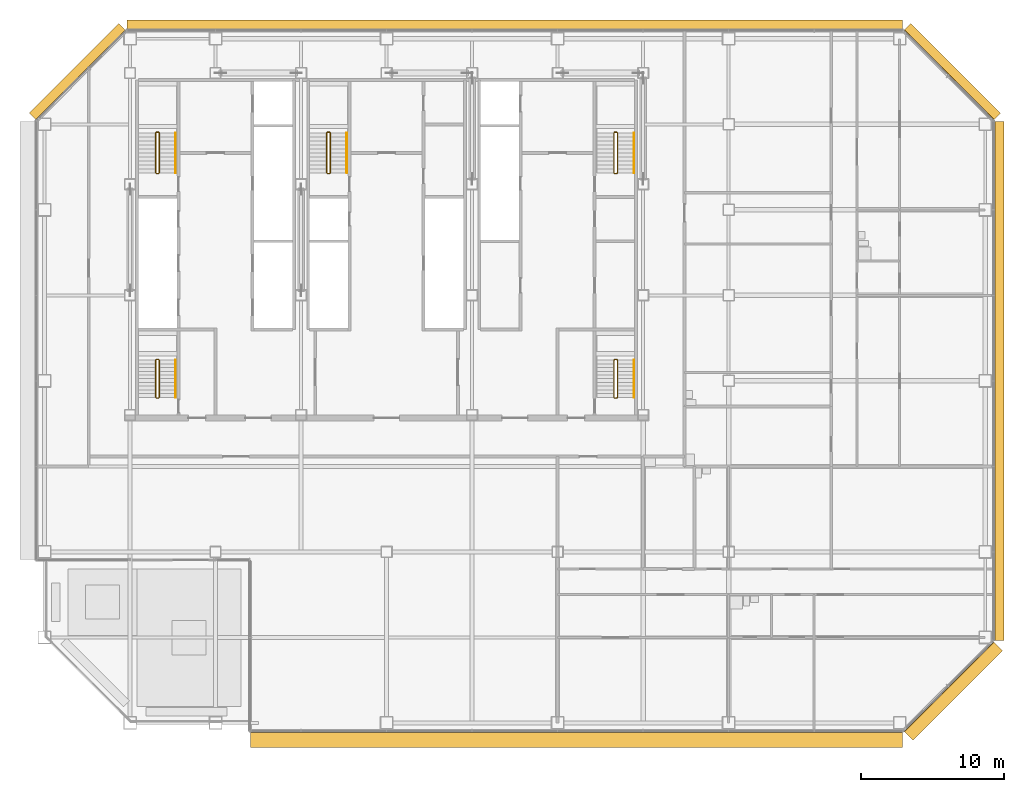
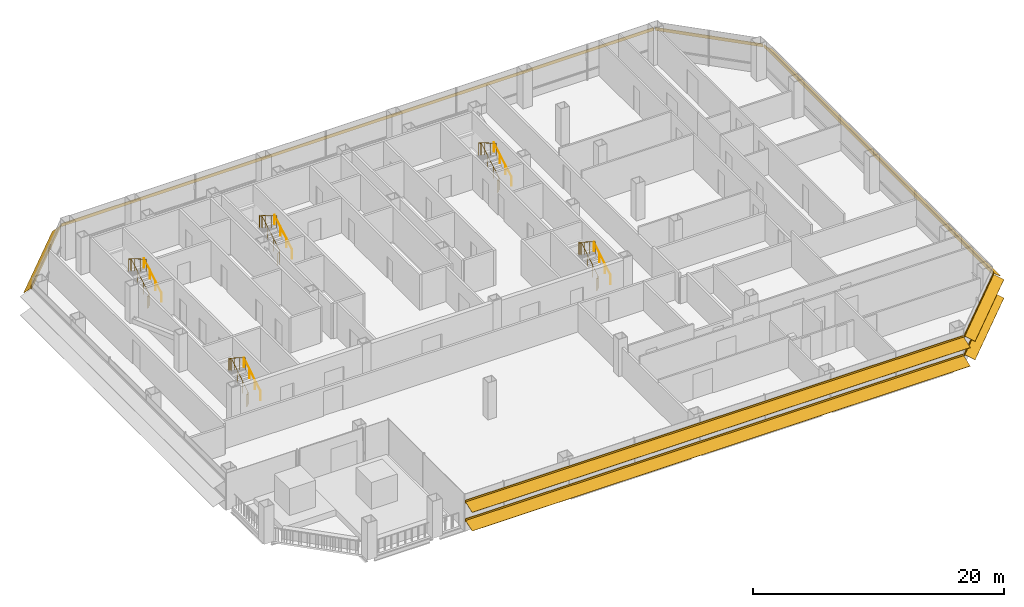
# One storey, part 26 of 28: 10 railings, 6 shading devices.
"""IFC4 building model written with IfcOpenShell, lengths in metres."""

from ifc_helpers import new_model, si_unit, direction, frame, origin, origin_2d, place, context, subcontext, project, spatial, polyline, circle, outline, composite_profile, extrude, material, type_object, element, save


model = new_model("IFC4")

# Units and contexts
model_context = context("Model", 3, precision=1e-05, world=origin(), true_north=direction((0.0, 1.0)))
body_context = subcontext(model_context, "Body", "Model", "MODEL_VIEW")
ifc_project = project(units=[si_unit("LENGTHUNIT", "METRE"), si_unit("AREAUNIT", "SQUARE_METRE"), si_unit("VOLUMEUNIT", "CUBIC_METRE"), si_unit("PLANEANGLEUNIT", "RADIAN"), si_unit("MASSUNIT", "GRAM", prefix="KILO")], contexts=[model_context])

# Site, building, storey
site_placement = place(None, origin())
site = spatial("IfcSite", under=ifc_project, at=site_placement, CompositionType="ELEMENT")
building_placement = place(site_placement, origin())
building = spatial("IfcBuilding", under=site, at=building_placement, Name="Sorahane Residences", CompositionType="ELEMENT")
storey_placement = place(building_placement, frame((0.0, 0.0, 60.60009765625)))
storey = spatial("IfcBuildingStorey", under=building, at=storey_placement, Name="L11", CompositionType="ELEMENT", Elevation=60.60009765625)

# Shading devices
ifc_material_1 = material(Name="Terracotta anodised aluminium", Category="masonry")
shading_device_type_1 = type_object("IfcShadingDeviceType", Name="Louvre sunshade blade E terracotta aluminium 700", PredefinedType="JALOUSIE", material=ifc_material_1)
shading_device_1_placement = place(storey_placement, frame((66.60009765625, 5.801513671875, 2.699951171875), z_axis=(0.0, 1.0, 0.0), x_axis=(-1.0, 0.0, 0.0)))
element("IfcShadingDevice", 1, at=shading_device_1_placement, inside=storey, type_object=shading_device_type_1, Name="Louvre sunshade blade bank E L11 E1", PredefinedType="JALOUSIE", context=body_context, shape_type="SweptSolid", body=[
    extrude(outline(polyline([(-0.719970703125, -0.49365234375), (-0.719970703125, -0.523681640625), (-0.080078125, -0.05859375), (-0.080078125, -0.14990234375), (-0.02001953125, -0.14990234375), (-0.02001953125, -0.014892578125), (-0.02001953125, 0.014892578125), (-0.02001953125, 0.14990234375), (-0.080078125, 0.14990234375), (-0.080078125, -0.028564453125), (-0.719970703125, -0.49365234375)])), origin(), (0.0, 0.0, 1.0), 36.39697265625),
])
ifc_material_2 = material(Name="Terracotta anodised aluminium", Category="masonry")
shading_device_type_2 = type_object("IfcShadingDeviceType", Name="Louvre sunshade blade N terracotta aluminium 700", PredefinedType="JALOUSIE", material=ifc_material_2)
shading_device_2_placement = place(storey_placement, frame((60.198486328125, 48.60009765625, 2.699951171875), z_axis=(-1.0, 0.0, 0.0), x_axis=(0.0, -1.0, 0.0)))
element("IfcShadingDevice", 2, at=shading_device_2_placement, inside=storey, type_object=shading_device_type_2, Name="Louvre sunshade blade bank N L11 N1", PredefinedType="JALOUSIE", context=body_context, shape_type="SweptSolid", body=[
    extrude(outline(polyline([(-0.719970703125, -0.660888671875), (-0.719970703125, -0.69091796875), (-0.080078125, -0.072998046875), (-0.080078125, -0.14990234375), (-0.02001953125, -0.14990234375), (-0.02001953125, -0.014892578125), (-0.02001953125, 0.014892578125), (-0.02001953125, 0.14990234375), (-0.080078125, 0.14990234375), (-0.080078125, -0.04296875), (-0.719970703125, -0.660888671875)])), origin(), (0.0, 0.0, 1.0), 54.39697265625),
])
ifc_material_3 = material(Name="Terracotta anodised aluminium", Category="masonry")
shading_device_type_3 = type_object("IfcShadingDeviceType", Name="Louvre sunshade blade NE terracotta aluminium 700", PredefinedType="JALOUSIE", material=ifc_material_3)
shading_device_3_placement = place(storey_placement, frame((66.564697265625, 42.283935546875, 2.699951171875), z_axis=(-0.707106781187, 0.707106781187, 0.0), x_axis=(-0.707106781187, -0.707106781187, 0.0)))
element("IfcShadingDevice", 3, at=shading_device_3_placement, inside=storey, type_object=shading_device_type_3, Name="Louvre sunshade blade bank NE L11 NE1", PredefinedType="JALOUSIE", context=body_context, shape_type="SweptSolid", body=[
    extrude(outline(polyline([(-0.719970703125, -0.572509765625), (-0.719970703125, -0.602294921875), (-0.080078125, -0.065185546875), (-0.080078125, -0.14990234375), (-0.02001953125, -0.14990234375), (-0.02001953125, -0.014892578125), (-0.02001953125, 0.014892578125), (-0.02001953125, 0.14990234375), (-0.080078125, 0.14990234375), (-0.080078125, -0.035400390625), (-0.719970703125, -0.572509765625)])), origin(), (0.0, 0.0, 1.0), 8.88232421875),
])
ifc_material_4 = material(Name="Terracotta anodised aluminium", Category="masonry")
shading_device_type_4 = type_object("IfcShadingDeviceType", Name="Louvre sunshade blade NW terracotta aluminium 700", PredefinedType="JALOUSIE", material=ifc_material_4)
shading_device_4_placement = place(storey_placement, frame((5.716064453125, 48.564697265625, 2.699951171875), z_axis=(-0.707106781187, -0.707106781187, 0.0), x_axis=(0.707106781187, -0.707106781187, 0.0)))
element("IfcShadingDevice", 4, at=shading_device_4_placement, inside=storey, type_object=shading_device_type_4, Name="Louvre sunshade blade bank NW L11 NW1", PredefinedType="JALOUSIE", context=body_context, shape_type="SweptSolid", body=[
    extrude(outline(polyline([(-0.719970703125, -0.660888671875), (-0.719970703125, -0.69091796875), (-0.080078125, -0.072998046875), (-0.080078125, -0.14990234375), (-0.02001953125, -0.14990234375), (-0.02001953125, -0.014892578125), (-0.02001953125, 0.014892578125), (-0.02001953125, 0.14990234375), (-0.080078125, 0.14990234375), (-0.080078125, -0.04296875), (-0.719970703125, -0.660888671875)])), origin(), (0.0, 0.0, 1.0), 8.88232421875),
])
ifc_material_5 = material(Name="Terracotta anodised aluminium", Category="masonry")
shading_device_type_5 = type_object("IfcShadingDeviceType", Name="Louvre sunshade blade S terracotta aluminium 1100", PredefinedType="JALOUSIE", material=ifc_material_5)
shading_device_5_placement = place(storey_placement, frame((14.449951171875, -0.60009765625, 0.89990234375), z_axis=(1.0, 0.0, 0.0), x_axis=(0.0, 1.0, 0.0)))
element("IfcShadingDevice", 5, at=shading_device_5_placement, inside=storey, type_object=shading_device_type_5, Name="Louvre sunshade blade bank S L11 S2", PredefinedType="JALOUSIE", context=body_context, shape_type="SweptSolid", body=[
    extrude(composite_profile([outline(polyline([(-1.1201171875, -0.385498046875), (-1.1201171875, -0.415283203125), (-0.080078125, -0.036865234375), (-0.080078125, -0.14990234375), (-0.02001953125, -0.14990234375), (-0.02001953125, -0.014892578125), (-0.02001953125, 0.014892578125), (-0.02001953125, 0.14990234375), (-0.080078125, 0.14990234375), (-0.080078125, -0.0068359375), (-1.1201171875, -0.385498046875)])), outline(polyline([(-1.1201171875, 1.41455078125), (-1.1201171875, 1.384521484375), (-0.080078125, 1.76318359375), (-0.080078125, 1.64990234375), (-0.02001953125, 1.64990234375), (-0.02001953125, 1.784912109375), (-0.02001953125, 1.81494140625), (-0.02001953125, 1.949951171875), (-0.080078125, 1.949951171875), (-0.080078125, 1.793212890625), (-1.1201171875, 1.41455078125)]))]), origin(), (0.0, 0.0, 1.0), 45.74853515625),
])
ifc_material_6 = material(Name="Terracotta anodised aluminium", Category="masonry")
shading_device_type_6 = type_object("IfcShadingDeviceType", Name="Louvre sunshade blade SE terracotta aluminium 900", PredefinedType="JALOUSIE", material=ifc_material_6)
shading_device_6_placement = place(storey_placement, frame((60.283935546875, -0.564697265625, 0.89990234375), z_axis=(0.707106781187, 0.707106781187, 0.0), x_axis=(-0.707106781187, 0.707106781187, 0.0)))
element("IfcShadingDevice", 6, at=shading_device_6_placement, inside=storey, type_object=shading_device_type_6, Name="Louvre sunshade blade bank SE L11 SE1", PredefinedType="JALOUSIE", context=body_context, shape_type="SweptSolid", body=[
    extrude(composite_profile([outline(polyline([(-0.919921875, -0.3486328125), (-0.919921875, -0.378662109375), (-0.080078125, -0.039306640625), (-0.080078125, -0.14990234375), (-0.02001953125, -0.14990234375), (-0.02001953125, -0.014892578125), (-0.02001953125, 0.014892578125), (-0.02001953125, 0.14990234375), (-0.080078125, 0.14990234375), (-0.080078125, -0.00927734375), (-0.919921875, -0.3486328125)])), outline(polyline([(-0.919921875, 1.451416015625), (-0.919921875, 1.42138671875), (-0.080078125, 1.7607421875), (-0.080078125, 1.64990234375), (-0.02001953125, 1.64990234375), (-0.02001953125, 1.784912109375), (-0.02001953125, 1.81494140625), (-0.02001953125, 1.949951171875), (-0.080078125, 1.949951171875), (-0.080078125, 1.790771484375), (-0.919921875, 1.451416015625)]))]), origin(), (0.0, 0.0, 1.0), 8.88232421875),
])

# Railings
ifc_material_7 = material(Name="Steel Q355B", Category="steel")
railing_type_1 = type_object("IfcRailingType", Name="Stair guard 1200 Steel Q355B", PredefinedType="GUARDRAIL", material=ifc_material_7)
railing_1_placement = place(storey_placement, frame((7.85009765625, 38.550048828125, 0.0)))
element("IfcRailing", 7, at=railing_1_placement, inside=storey, type_object=railing_type_1, Name="L11 S1 stair guard 1", PredefinedType="GUARDRAIL", context=body_context, shape_type="SweptSolid", body=[
    extrude(circle(Radius=0.02392578125, at=origin_2d()), frame((0.0, 0.0, 1.17578125), z_axis=(1.0, 0.0, 0.0), x_axis=(0.0, 1.0, 0.0)), (0.0, 0.0, 1.0), 0.14990234375),
    extrude(circle(Radius=0.02392578125, at=origin_2d()), frame((0.14990234375, 0.0, 1.17578125), z_axis=(0.280808744504, 0.280808744504, 0.917765164963), x_axis=(-0.707106781187, 0.707106781187, 0.0)), (0.0, 0.0, 1.0), 0.17822265625),
    extrude(circle(Radius=0.02392578125, at=origin_2d()), frame((0.199951171875, 0.050048828125, 1.33935546875), z_axis=(0.0, 0.863374499697, 0.504563646405), x_axis=(-1.0, 0.0, 0.0)), (0.0, 0.0, 1.0), 3.242919921875),
    extrude(circle(Radius=0.02392578125, at=origin_2d()), frame((0.199951171875, 2.849853515625, 2.9755859375), z_axis=(-0.707106781187, 0.707106781187, 0.0), x_axis=(-0.707106781187, -0.707106781187, 0.0)), (0.0, 0.0, 1.0), 0.07080078125),
    extrude(circle(Radius=0.02392578125, at=origin_2d()), frame((0.14990234375, 2.89990234375, 2.9755859375), z_axis=(-1.0, 0.0, 0.0), x_axis=(0.0, -1.0, 0.0)), (0.0, 0.0, 1.0), 0.14990234375),
    extrude(circle(Radius=0.02392578125, at=origin_2d()), frame((0.0, 2.89990234375, 2.9755859375), z_axis=(-0.280456126637, -0.280456126637, 0.917980785237), x_axis=(0.707106781187, -0.707106781187, 0.0)), (0.0, 0.0, 1.0), 0.178466796875),
    extrude(circle(Radius=0.02392578125, at=origin_2d()), frame((-0.050048828125, 2.849853515625, 3.1396484375), z_axis=(0.0, -0.863374499697, 0.504563646405), x_axis=(1.0, 0.0, 0.0)), (0.0, 0.0, 1.0), 3.242919921875),
    extrude(circle(Radius=0.02099609375, at=origin_2d()), origin(), (0.0, 0.0, 1.0), 1.15185546875),
    extrude(circle(Radius=0.02099609375, at=origin_2d()), frame((0.14990234375, 0.0, 0.0)), (0.0, 0.0, 1.0), 1.15185546875),
    extrude(circle(Radius=0.02099609375, at=origin_2d()), frame((0.199951171875, 0.050048828125, 0.16357421875)), (0.0, 0.0, 1.0), 1.15185546875),
    extrude(circle(Radius=0.02099609375, at=origin_2d()), frame((0.199951171875, 0.9833984375, 0.708984375)), (0.0, 0.0, 1.0), 1.15185546875),
    extrude(circle(Radius=0.02099609375, at=origin_2d()), frame((0.199951171875, 1.91650390625, 1.25439453125)), (0.0, 0.0, 1.0), 1.15185546875),
    extrude(circle(Radius=0.02099609375, at=origin_2d()), frame((0.199951171875, 2.849853515625, 1.7998046875)), (0.0, 0.0, 1.0), 1.15185546875),
    extrude(circle(Radius=0.02099609375, at=origin_2d()), frame((0.14990234375, 2.89990234375, 1.7998046875)), (0.0, 0.0, 1.0), 1.15185546875),
    extrude(circle(Radius=0.02099609375, at=origin_2d()), frame((0.0, 2.89990234375, 1.7998046875)), (0.0, 0.0, 1.0), 1.15185546875),
    extrude(circle(Radius=0.02099609375, at=origin_2d()), frame((-0.050048828125, 2.849853515625, 1.963623046875)), (0.0, 0.0, 1.0), 1.15185546875),
    extrude(circle(Radius=0.02099609375, at=origin_2d()), frame((-0.050048828125, 1.91650390625, 2.509033203125)), (0.0, 0.0, 1.0), 1.15185546875),
    extrude(circle(Radius=0.02099609375, at=origin_2d()), frame((-0.050048828125, 0.9833984375, 3.054443359375)), (0.0, 0.0, 1.0), 1.15185546875),
    extrude(circle(Radius=0.02099609375, at=origin_2d()), frame((-0.050048828125, 0.050048828125, 3.599853515625)), (0.0, 0.0, 1.0), 1.15185546875),
])
railing_2_placement = place(storey_placement, frame((40.0, 38.550048828125, 0.0)))
element("IfcRailing", 8, at=railing_2_placement, inside=storey, type_object=railing_type_1, Name="L11 S2 stair guard 1", PredefinedType="GUARDRAIL", context=body_context, shape_type="SweptSolid", body=[
    extrude(circle(Radius=0.02392578125, at=origin_2d()), frame((0.0, 0.0, 1.17578125), z_axis=(1.0, 0.0, 0.0), x_axis=(0.0, 1.0, 0.0)), (0.0, 0.0, 1.0), 0.14990234375),
    extrude(circle(Radius=0.02392578125, at=origin_2d()), frame((0.14990234375, 0.0, 1.17578125), z_axis=(0.280808744504, 0.280808744504, 0.917765164963), x_axis=(-0.707106781187, 0.707106781187, 0.0)), (0.0, 0.0, 1.0), 0.17822265625),
    extrude(circle(Radius=0.02392578125, at=origin_2d()), frame((0.199951171875, 0.050048828125, 1.33935546875), z_axis=(0.0, 0.863374499697, 0.504563646405), x_axis=(-1.0, 0.0, 0.0)), (0.0, 0.0, 1.0), 3.242919921875),
    extrude(circle(Radius=0.02392578125, at=origin_2d()), frame((0.199951171875, 2.849853515625, 2.9755859375), z_axis=(-0.707106781187, 0.707106781187, 0.0), x_axis=(-0.707106781187, -0.707106781187, 0.0)), (0.0, 0.0, 1.0), 0.07080078125),
    extrude(circle(Radius=0.02392578125, at=origin_2d()), frame((0.14990234375, 2.89990234375, 2.9755859375), z_axis=(-1.0, 0.0, 0.0), x_axis=(0.0, -1.0, 0.0)), (0.0, 0.0, 1.0), 0.14990234375),
    extrude(circle(Radius=0.02392578125, at=origin_2d()), frame((0.0, 2.89990234375, 2.9755859375), z_axis=(-0.280456126637, -0.280456126637, 0.917980785237), x_axis=(0.707106781187, -0.707106781187, 0.0)), (0.0, 0.0, 1.0), 0.178466796875),
    extrude(circle(Radius=0.02392578125, at=origin_2d()), frame((-0.050048828125, 2.849853515625, 3.1396484375), z_axis=(0.0, -0.863374499697, 0.504563646405), x_axis=(1.0, 0.0, 0.0)), (0.0, 0.0, 1.0), 3.242919921875),
    extrude(circle(Radius=0.02099609375, at=origin_2d()), origin(), (0.0, 0.0, 1.0), 1.15185546875),
    extrude(circle(Radius=0.02099609375, at=origin_2d()), frame((0.14990234375, 0.0, 0.0)), (0.0, 0.0, 1.0), 1.15185546875),
    extrude(circle(Radius=0.02099609375, at=origin_2d()), frame((0.199951171875, 0.050048828125, 0.16357421875)), (0.0, 0.0, 1.0), 1.15185546875),
    extrude(circle(Radius=0.02099609375, at=origin_2d()), frame((0.199951171875, 0.9833984375, 0.708984375)), (0.0, 0.0, 1.0), 1.15185546875),
    extrude(circle(Radius=0.02099609375, at=origin_2d()), frame((0.199951171875, 1.91650390625, 1.25439453125)), (0.0, 0.0, 1.0), 1.15185546875),
    extrude(circle(Radius=0.02099609375, at=origin_2d()), frame((0.199951171875, 2.849853515625, 1.7998046875)), (0.0, 0.0, 1.0), 1.15185546875),
    extrude(circle(Radius=0.02099609375, at=origin_2d()), frame((0.14990234375, 2.89990234375, 1.7998046875)), (0.0, 0.0, 1.0), 1.15185546875),
    extrude(circle(Radius=0.02099609375, at=origin_2d()), frame((0.0, 2.89990234375, 1.7998046875)), (0.0, 0.0, 1.0), 1.15185546875),
    extrude(circle(Radius=0.02099609375, at=origin_2d()), frame((-0.050048828125, 2.849853515625, 1.963623046875)), (0.0, 0.0, 1.0), 1.15185546875),
    extrude(circle(Radius=0.02099609375, at=origin_2d()), frame((-0.050048828125, 1.91650390625, 2.509033203125)), (0.0, 0.0, 1.0), 1.15185546875),
    extrude(circle(Radius=0.02099609375, at=origin_2d()), frame((-0.050048828125, 0.9833984375, 3.054443359375)), (0.0, 0.0, 1.0), 1.15185546875),
    extrude(circle(Radius=0.02099609375, at=origin_2d()), frame((-0.050048828125, 0.050048828125, 3.599853515625)), (0.0, 0.0, 1.0), 1.15185546875),
])
railing_3_placement = place(storey_placement, frame((19.85009765625, 38.550048828125, 0.0)))
element("IfcRailing", 9, at=railing_3_placement, inside=storey, type_object=railing_type_1, Name="L11 S3 stair guard 1", PredefinedType="GUARDRAIL", context=body_context, shape_type="SweptSolid", body=[
    extrude(circle(Radius=0.02392578125, at=origin_2d()), frame((0.0, 0.0, 1.17578125), z_axis=(1.0, 0.0, 0.0), x_axis=(0.0, 1.0, 0.0)), (0.0, 0.0, 1.0), 0.14990234375),
    extrude(circle(Radius=0.02392578125, at=origin_2d()), frame((0.14990234375, 0.0, 1.17578125), z_axis=(0.280808744504, 0.280808744504, 0.917765164963), x_axis=(-0.707106781187, 0.707106781187, 0.0)), (0.0, 0.0, 1.0), 0.17822265625),
    extrude(circle(Radius=0.02392578125, at=origin_2d()), frame((0.199951171875, 0.050048828125, 1.33935546875), z_axis=(0.0, 0.863374499697, 0.504563646405), x_axis=(-1.0, 0.0, 0.0)), (0.0, 0.0, 1.0), 3.242919921875),
    extrude(circle(Radius=0.02392578125, at=origin_2d()), frame((0.199951171875, 2.849853515625, 2.9755859375), z_axis=(-0.707106781187, 0.707106781187, 0.0), x_axis=(-0.707106781187, -0.707106781187, 0.0)), (0.0, 0.0, 1.0), 0.07080078125),
    extrude(circle(Radius=0.02392578125, at=origin_2d()), frame((0.14990234375, 2.89990234375, 2.9755859375), z_axis=(-1.0, 0.0, 0.0), x_axis=(0.0, -1.0, 0.0)), (0.0, 0.0, 1.0), 0.14990234375),
    extrude(circle(Radius=0.02392578125, at=origin_2d()), frame((0.0, 2.89990234375, 2.9755859375), z_axis=(-0.280456126637, -0.280456126637, 0.917980785237), x_axis=(0.707106781187, -0.707106781187, 0.0)), (0.0, 0.0, 1.0), 0.178466796875),
    extrude(circle(Radius=0.02392578125, at=origin_2d()), frame((-0.050048828125, 2.849853515625, 3.1396484375), z_axis=(0.0, -0.863374499697, 0.504563646405), x_axis=(1.0, 0.0, 0.0)), (0.0, 0.0, 1.0), 3.242919921875),
    extrude(circle(Radius=0.02099609375, at=origin_2d()), origin(), (0.0, 0.0, 1.0), 1.15185546875),
    extrude(circle(Radius=0.02099609375, at=origin_2d()), frame((0.14990234375, 0.0, 0.0)), (0.0, 0.0, 1.0), 1.15185546875),
    extrude(circle(Radius=0.02099609375, at=origin_2d()), frame((0.199951171875, 0.050048828125, 0.16357421875)), (0.0, 0.0, 1.0), 1.15185546875),
    extrude(circle(Radius=0.02099609375, at=origin_2d()), frame((0.199951171875, 0.9833984375, 0.708984375)), (0.0, 0.0, 1.0), 1.15185546875),
    extrude(circle(Radius=0.02099609375, at=origin_2d()), frame((0.199951171875, 1.91650390625, 1.25439453125)), (0.0, 0.0, 1.0), 1.15185546875),
    extrude(circle(Radius=0.02099609375, at=origin_2d()), frame((0.199951171875, 2.849853515625, 1.7998046875)), (0.0, 0.0, 1.0), 1.15185546875),
    extrude(circle(Radius=0.02099609375, at=origin_2d()), frame((0.14990234375, 2.89990234375, 1.7998046875)), (0.0, 0.0, 1.0), 1.15185546875),
    extrude(circle(Radius=0.02099609375, at=origin_2d()), frame((0.0, 2.89990234375, 1.7998046875)), (0.0, 0.0, 1.0), 1.15185546875),
    extrude(circle(Radius=0.02099609375, at=origin_2d()), frame((-0.050048828125, 2.849853515625, 1.963623046875)), (0.0, 0.0, 1.0), 1.15185546875),
    extrude(circle(Radius=0.02099609375, at=origin_2d()), frame((-0.050048828125, 1.91650390625, 2.509033203125)), (0.0, 0.0, 1.0), 1.15185546875),
    extrude(circle(Radius=0.02099609375, at=origin_2d()), frame((-0.050048828125, 0.9833984375, 3.054443359375)), (0.0, 0.0, 1.0), 1.15185546875),
    extrude(circle(Radius=0.02099609375, at=origin_2d()), frame((-0.050048828125, 0.050048828125, 3.599853515625)), (0.0, 0.0, 1.0), 1.15185546875),
])
railing_4_placement = place(storey_placement, frame((7.85009765625, 22.800048828125, 0.0)))
element("IfcRailing", 10, at=railing_4_placement, inside=storey, type_object=railing_type_1, Name="L11 S4 stair guard 1", PredefinedType="GUARDRAIL", context=body_context, shape_type="SweptSolid", body=[
    extrude(circle(Radius=0.02392578125, at=origin_2d()), frame((0.0, 0.0, 1.17578125), z_axis=(1.0, 0.0, 0.0), x_axis=(0.0, 1.0, 0.0)), (0.0, 0.0, 1.0), 0.14990234375),
    extrude(circle(Radius=0.02392578125, at=origin_2d()), frame((0.14990234375, 0.0, 1.17578125), z_axis=(0.280808744504, 0.280808744504, 0.917765164963), x_axis=(-0.707106781187, 0.707106781187, 0.0)), (0.0, 0.0, 1.0), 0.17822265625),
    extrude(circle(Radius=0.02392578125, at=origin_2d()), frame((0.199951171875, 0.050048828125, 1.33935546875), z_axis=(0.0, 0.846337672412, 0.532646734952), x_axis=(-1.0, 0.0, 0.0)), (0.0, 0.0, 1.0), 3.07177734375),
    extrude(circle(Radius=0.02392578125, at=origin_2d()), frame((0.199951171875, 2.64990234375, 2.9755859375), z_axis=(-0.707106781187, 0.707106781187, 0.0), x_axis=(-0.707106781187, -0.707106781187, 0.0)), (0.0, 0.0, 1.0), 0.07080078125),
    extrude(circle(Radius=0.02392578125, at=origin_2d()), frame((0.14990234375, 2.699951171875, 2.9755859375), z_axis=(-1.0, 0.0, 0.0), x_axis=(0.0, -1.0, 0.0)), (0.0, 0.0, 1.0), 0.14990234375),
    extrude(circle(Radius=0.02392578125, at=origin_2d()), frame((0.0, 2.699951171875, 2.9755859375), z_axis=(-0.280456126637, -0.280456126637, 0.917980785237), x_axis=(0.707106781187, -0.707106781187, 0.0)), (0.0, 0.0, 1.0), 0.178466796875),
    extrude(circle(Radius=0.02392578125, at=origin_2d()), frame((-0.050048828125, 2.64990234375, 3.1396484375), z_axis=(0.0, -0.846337672412, 0.532646734952), x_axis=(1.0, 0.0, 0.0)), (0.0, 0.0, 1.0), 3.07177734375),
    extrude(circle(Radius=0.02099609375, at=origin_2d()), origin(), (0.0, 0.0, 1.0), 1.15185546875),
    extrude(circle(Radius=0.02099609375, at=origin_2d()), frame((0.14990234375, 0.0, 0.0)), (0.0, 0.0, 1.0), 1.15185546875),
    extrude(circle(Radius=0.02099609375, at=origin_2d()), frame((0.199951171875, 0.050048828125, 0.16357421875)), (0.0, 0.0, 1.0), 1.15185546875),
    extrude(circle(Radius=0.02099609375, at=origin_2d()), frame((0.199951171875, 0.916748046875, 0.708984375)), (0.0, 0.0, 1.0), 1.15185546875),
    extrude(circle(Radius=0.02099609375, at=origin_2d()), frame((0.199951171875, 1.783203125, 1.25439453125)), (0.0, 0.0, 1.0), 1.15185546875),
    extrude(circle(Radius=0.02099609375, at=origin_2d()), frame((0.199951171875, 2.64990234375, 1.7998046875)), (0.0, 0.0, 1.0), 1.15185546875),
    extrude(circle(Radius=0.02099609375, at=origin_2d()), frame((0.14990234375, 2.699951171875, 1.7998046875)), (0.0, 0.0, 1.0), 1.15185546875),
    extrude(circle(Radius=0.02099609375, at=origin_2d()), frame((0.0, 2.699951171875, 1.7998046875)), (0.0, 0.0, 1.0), 1.15185546875),
    extrude(circle(Radius=0.02099609375, at=origin_2d()), frame((-0.050048828125, 2.64990234375, 1.963623046875)), (0.0, 0.0, 1.0), 1.15185546875),
    extrude(circle(Radius=0.02099609375, at=origin_2d()), frame((-0.050048828125, 1.783203125, 2.509033203125)), (0.0, 0.0, 1.0), 1.15185546875),
    extrude(circle(Radius=0.02099609375, at=origin_2d()), frame((-0.050048828125, 0.916748046875, 3.054443359375)), (0.0, 0.0, 1.0), 1.15185546875),
    extrude(circle(Radius=0.02099609375, at=origin_2d()), frame((-0.050048828125, 0.050048828125, 3.599853515625)), (0.0, 0.0, 1.0), 1.15185546875),
])
railing_5_placement = place(storey_placement, frame((40.0, 22.800048828125, 0.0)))
element("IfcRailing", 11, at=railing_5_placement, inside=storey, type_object=railing_type_1, Name="L11 S5 stair guard 1", PredefinedType="GUARDRAIL", context=body_context, shape_type="SweptSolid", body=[
    extrude(circle(Radius=0.02392578125, at=origin_2d()), frame((0.0, 0.0, 1.17578125), z_axis=(1.0, 0.0, 0.0), x_axis=(0.0, 1.0, 0.0)), (0.0, 0.0, 1.0), 0.14990234375),
    extrude(circle(Radius=0.02392578125, at=origin_2d()), frame((0.14990234375, 0.0, 1.17578125), z_axis=(0.280808744504, 0.280808744504, 0.917765164963), x_axis=(-0.707106781187, 0.707106781187, 0.0)), (0.0, 0.0, 1.0), 0.17822265625),
    extrude(circle(Radius=0.02392578125, at=origin_2d()), frame((0.199951171875, 0.050048828125, 1.33935546875), z_axis=(0.0, 0.846337672412, 0.532646734952), x_axis=(-1.0, 0.0, 0.0)), (0.0, 0.0, 1.0), 3.07177734375),
    extrude(circle(Radius=0.02392578125, at=origin_2d()), frame((0.199951171875, 2.64990234375, 2.9755859375), z_axis=(-0.707106781187, 0.707106781187, 0.0), x_axis=(-0.707106781187, -0.707106781187, 0.0)), (0.0, 0.0, 1.0), 0.07080078125),
    extrude(circle(Radius=0.02392578125, at=origin_2d()), frame((0.14990234375, 2.699951171875, 2.9755859375), z_axis=(-1.0, 0.0, 0.0), x_axis=(0.0, -1.0, 0.0)), (0.0, 0.0, 1.0), 0.14990234375),
    extrude(circle(Radius=0.02392578125, at=origin_2d()), frame((0.0, 2.699951171875, 2.9755859375), z_axis=(-0.280456126637, -0.280456126637, 0.917980785237), x_axis=(0.707106781187, -0.707106781187, 0.0)), (0.0, 0.0, 1.0), 0.178466796875),
    extrude(circle(Radius=0.02392578125, at=origin_2d()), frame((-0.050048828125, 2.64990234375, 3.1396484375), z_axis=(0.0, -0.846337672412, 0.532646734952), x_axis=(1.0, 0.0, 0.0)), (0.0, 0.0, 1.0), 3.07177734375),
    extrude(circle(Radius=0.02099609375, at=origin_2d()), origin(), (0.0, 0.0, 1.0), 1.15185546875),
    extrude(circle(Radius=0.02099609375, at=origin_2d()), frame((0.14990234375, 0.0, 0.0)), (0.0, 0.0, 1.0), 1.15185546875),
    extrude(circle(Radius=0.02099609375, at=origin_2d()), frame((0.199951171875, 0.050048828125, 0.16357421875)), (0.0, 0.0, 1.0), 1.15185546875),
    extrude(circle(Radius=0.02099609375, at=origin_2d()), frame((0.199951171875, 0.916748046875, 0.708984375)), (0.0, 0.0, 1.0), 1.15185546875),
    extrude(circle(Radius=0.02099609375, at=origin_2d()), frame((0.199951171875, 1.783203125, 1.25439453125)), (0.0, 0.0, 1.0), 1.15185546875),
    extrude(circle(Radius=0.02099609375, at=origin_2d()), frame((0.199951171875, 2.64990234375, 1.7998046875)), (0.0, 0.0, 1.0), 1.15185546875),
    extrude(circle(Radius=0.02099609375, at=origin_2d()), frame((0.14990234375, 2.699951171875, 1.7998046875)), (0.0, 0.0, 1.0), 1.15185546875),
    extrude(circle(Radius=0.02099609375, at=origin_2d()), frame((0.0, 2.699951171875, 1.7998046875)), (0.0, 0.0, 1.0), 1.15185546875),
    extrude(circle(Radius=0.02099609375, at=origin_2d()), frame((-0.050048828125, 2.64990234375, 1.963623046875)), (0.0, 0.0, 1.0), 1.15185546875),
    extrude(circle(Radius=0.02099609375, at=origin_2d()), frame((-0.050048828125, 1.783203125, 2.509033203125)), (0.0, 0.0, 1.0), 1.15185546875),
    extrude(circle(Radius=0.02099609375, at=origin_2d()), frame((-0.050048828125, 0.916748046875, 3.054443359375)), (0.0, 0.0, 1.0), 1.15185546875),
    extrude(circle(Radius=0.02099609375, at=origin_2d()), frame((-0.050048828125, 0.050048828125, 3.599853515625)), (0.0, 0.0, 1.0), 1.15185546875),
])
ifc_material_8 = material(Name="Steel Q355B", Category="steel")
railing_type_2 = type_object("IfcRailingType", Name="Stair handrail 900 Steel Q355B", PredefinedType="HANDRAIL", material=ifc_material_8)
for number, where, name in (
    (12, (9.199951171875, 38.60009765625, 0.16357421875), "L11 S1 stair handrail 1"),
    (13, (41.35009765625, 38.60009765625, 0.16357421875), "L11 S2 stair handrail 1"),
    (14, (21.199951171875, 38.60009765625, 0.16357421875), "L11 S3 stair handrail 1"),
):
    element("IfcRailing", number, at=place(storey_placement, frame(where)), inside=storey, type_object=railing_type_2, Name=name, PredefinedType="HANDRAIL", context=body_context, shape_type="SweptSolid", body=[
        extrude(circle(Radius=0.02392578125, at=origin_2d()), frame((0.0, 0.0, 0.8759765625), z_axis=(0.0, 0.863374499697, 0.504563646405), x_axis=(-1.0, 0.0, 0.0)), (0.0, 0.0, 1.0), 3.242919921875),
        extrude(circle(Radius=0.02099609375, at=origin_2d()), origin(), (0.0, 0.0, 1.0), 0.851806640625),
        extrude(circle(Radius=0.02099609375, at=origin_2d()), frame((0.0, 0.933349609375, 0.54541015625)), (0.0, 0.0, 1.0), 0.851806640625),
        extrude(circle(Radius=0.02099609375, at=origin_2d()), frame((0.0, 1.866455078125, 1.0908203125)), (0.0, 0.0, 1.0), 0.851806640625),
        extrude(circle(Radius=0.02099609375, at=origin_2d()), frame((0.0, 2.7998046875, 1.63623046875)), (0.0, 0.0, 1.0), 0.851806640625),
    ])
for number, where, name in (
    (15, (9.199951171875, 22.85009765625, 0.16357421875), "L11 S4 stair handrail 1"),
    (16, (41.35009765625, 22.85009765625, 0.16357421875), "L11 S5 stair handrail 1"),
):
    element("IfcRailing", number, at=place(storey_placement, frame(where)), inside=storey, type_object=railing_type_2, Name=name, PredefinedType="HANDRAIL", context=body_context, shape_type="SweptSolid", body=[
        extrude(circle(Radius=0.02392578125, at=origin_2d()), frame((0.0, 0.0, 0.8759765625), z_axis=(0.0, 0.846337672412, 0.532646734952), x_axis=(-1.0, 0.0, 0.0)), (0.0, 0.0, 1.0), 3.07177734375),
        extrude(circle(Radius=0.02099609375, at=origin_2d()), origin(), (0.0, 0.0, 1.0), 0.851806640625),
        extrude(circle(Radius=0.02099609375, at=origin_2d()), frame((0.0, 0.86669921875, 0.54541015625)), (0.0, 0.0, 1.0), 0.851806640625),
        extrude(circle(Radius=0.02099609375, at=origin_2d()), frame((0.0, 1.733154296875, 1.0908203125)), (0.0, 0.0, 1.0), 0.851806640625),
        extrude(circle(Radius=0.02099609375, at=origin_2d()), frame((0.0, 2.599853515625, 1.63623046875)), (0.0, 0.0, 1.0), 0.851806640625),
    ])

save(model, "model.ifc")
